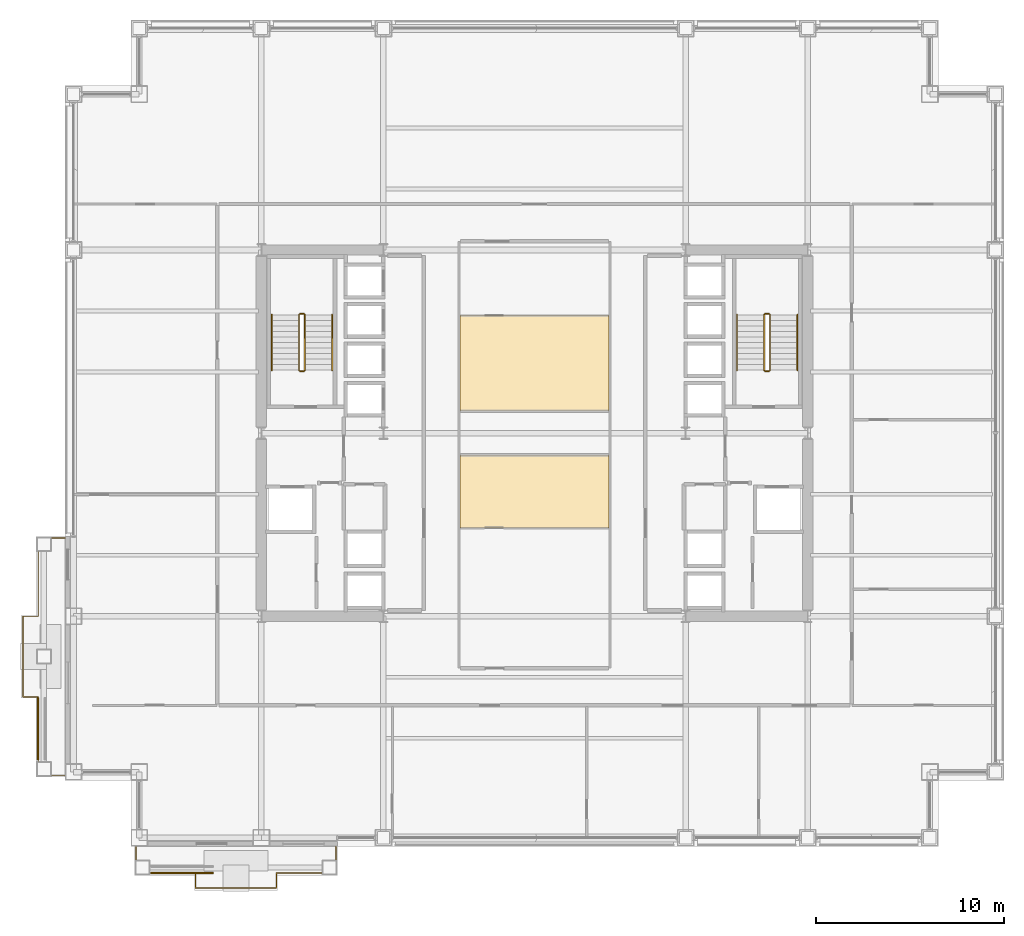
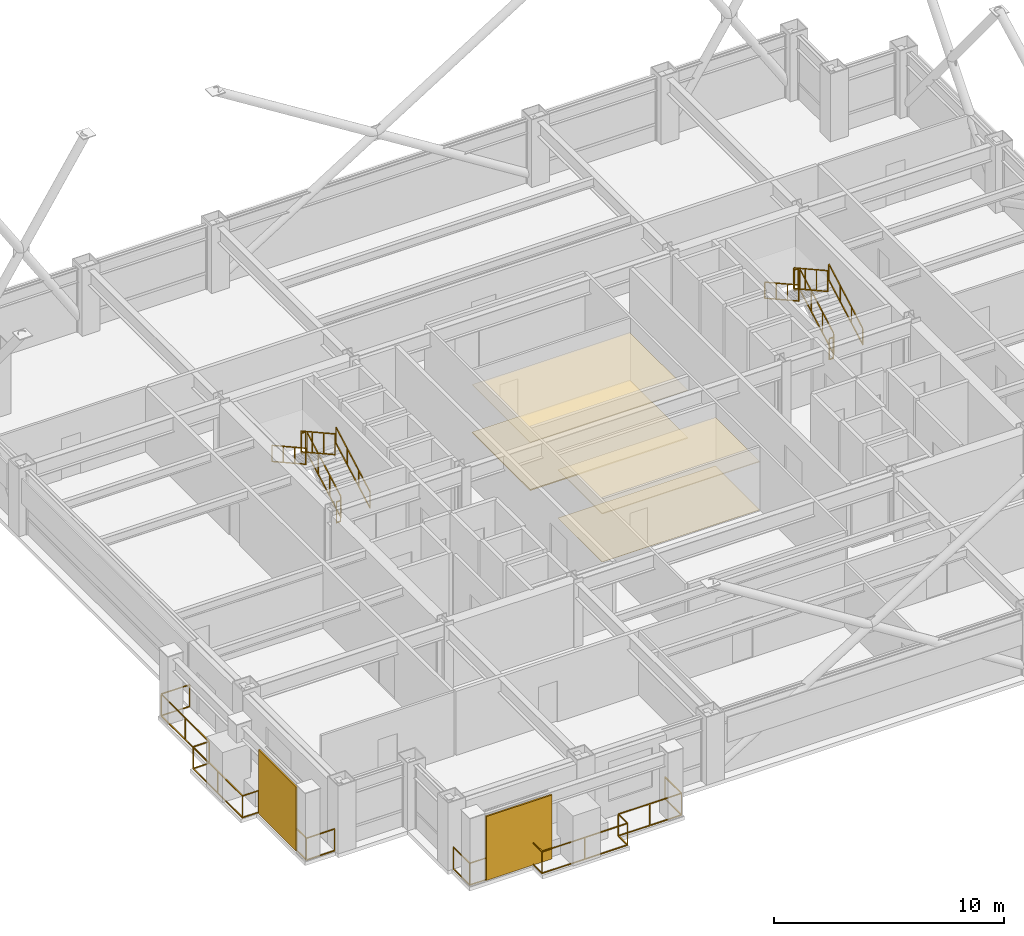
# One storey, part 29 of 30: 14 railings, 4 coverings, 2 shading devices.
"""IFC4 building model written with IfcOpenShell, lengths in metres."""

from ifc_helpers import new_model, si_unit, direction, frame, origin, origin_2d, place, context, subcontext, project, spatial, polyline, rectangle, outline, extrude, material, layer, layer_set, type_object, element, save


model = new_model("IFC4")

# Units and contexts
model_context = context("Model", 3, precision=1e-05, world=origin(), true_north=direction((0.0, 1.0)))
body_context = subcontext(model_context, "Body", "Model", "MODEL_VIEW")
ifc_project = project(units=[si_unit("LENGTHUNIT", "METRE"), si_unit("AREAUNIT", "SQUARE_METRE"), si_unit("VOLUMEUNIT", "CUBIC_METRE"), si_unit("PLANEANGLEUNIT", "RADIAN"), si_unit("MASSUNIT", "GRAM", prefix="KILO")], contexts=[model_context])

# Site, building, storey
site_placement = place(None, origin())
site = spatial("IfcSite", under=ifc_project, at=site_placement, CompositionType="ELEMENT")
building_placement = place(site_placement, origin())
building = spatial("IfcBuilding", under=site, at=building_placement, Name="Brelmoor Portico Tower", CompositionType="ELEMENT")
storey_placement = place(building_placement, frame((0.0, 0.0, 56.39990234375)))
storey = spatial("IfcBuildingStorey", under=building, at=storey_placement, Name="L14", CompositionType="ELEMENT", Elevation=56.39990234375)

# Coverings
ifc_material_1 = material(Name="Powder-Coated Aluminium Acoustic Baffle Ceiling", Category="aluminium")
ifc_layer_1 = layer(ifc_material_1, 0.044921875)
ifc_layer_set_1 = layer_set([ifc_layer_1], Name="Powder-Coated Aluminium Acoustic Baffle Ceiling")
covering_type_1 = type_object("IfcCoveringType", Name="CV-CEIL-BAFFLE-45", PredefinedType="CEILING", material=ifc_layer_set_1)
covering_1_placement = place(storey_placement, frame((0.0, 0.0, 2.550048828125)))
element("IfcCovering", 1, at=covering_1_placement, inside=storey, type_object=covering_type_1, Name="L14 Acoustic Suspended Ceiling 02", PredefinedType="CEILING", context=body_context, shape_type="SweptSolid", body=[
    extrude(outline(polyline([(-3.9599609375, -5.06005859375), (-3.9599609375, -1.199951171875), (3.9599609375, -1.199951171875), (3.9599609375, -5.06005859375), (-3.9599609375, -5.06005859375)])), origin(), (0.0, 0.0, 1.0), 0.045166015625),
])
ifc_material_2 = material(Name="Micro-Perforated Aluminium Clip-In Ceiling", Category="aluminium")
ifc_layer_2 = layer(ifc_material_2, 0.031982421875)
ifc_layer_set_2 = layer_set([ifc_layer_2], Name="Micro-Perforated Aluminium Clip-In Ceiling")
covering_type_2 = type_object("IfcCoveringType", Name="CV-CEIL-METAL-32", PredefinedType="CEILING", material=ifc_layer_set_2)
covering_2_placement = place(storey_placement, frame((0.0, 0.0, 2.550048828125)))
element("IfcCovering", 2, at=covering_2_placement, inside=storey, type_object=covering_type_2, Name="L14 Acoustic Suspended Ceiling 01", PredefinedType="CEILING", context=body_context, shape_type="SweptSolid", body=[
    extrude(outline(polyline([(-3.9599609375, 1.199951171875), (-3.9599609375, 6.260009765625), (3.9599609375, 6.260009765625), (3.9599609375, 1.199951171875), (-3.9599609375, 1.199951171875)])), origin(), (0.0, 0.0, 1.0), 0.031982421875),
])
ifc_material_3 = material(Name="Calcium-Sulphate Raised Access Floor Panel", Category="steel")
ifc_layer_3 = layer(ifc_material_3, 0.06005859375)
ifc_layer_set_3 = layer_set([ifc_layer_3], Name="Calcium-Sulphate Raised Access Floor Panel")
covering_type_3 = type_object("IfcCoveringType", Name="CV-FLR-ACCESS-60", PredefinedType="FLOORING", material=ifc_layer_set_3)
covering_3_placement = place(storey_placement, origin())
element("IfcCovering", 3, at=covering_3_placement, inside=storey, type_object=covering_type_3, Name="L14 Architectural Floor Finish 01", PredefinedType="FLOORING", context=body_context, shape_type="SweptSolid", body=[
    extrude(outline(polyline([(-3.9599609375, 1.199951171875), (-3.9599609375, 6.260009765625), (3.9599609375, 6.260009765625), (3.9599609375, 1.199951171875), (-3.9599609375, 1.199951171875)])), origin(), (0.0, 0.0, 1.0), 0.06005859375),
])
ifc_material_4 = material(Name="Solution-Dyed Nylon Acoustic Carpet Tile", Category="textile")
ifc_layer_4 = layer(ifc_material_4, 0.013916015625)
ifc_layer_set_4 = layer_set([ifc_layer_4], Name="Solution-Dyed Nylon Acoustic Carpet Tile")
covering_type_4 = type_object("IfcCoveringType", Name="CV-FLR-CARPET-14", PredefinedType="FLOORING", material=ifc_layer_set_4)
covering_4_placement = place(storey_placement, origin())
element("IfcCovering", 4, at=covering_4_placement, inside=storey, type_object=covering_type_4, Name="L14 Architectural Floor Finish 02", PredefinedType="FLOORING", context=body_context, shape_type="SweptSolid", body=[
    extrude(outline(polyline([(-3.9599609375, -5.06005859375), (-3.9599609375, -1.199951171875), (3.9599609375, -1.199951171875), (3.9599609375, -5.06005859375), (-3.9599609375, -5.06005859375)])), origin(), (0.0, 0.0, 1.0), 0.01416015625),
])

# Railings
ifc_material_5 = material(Name="Perforated Pale Champagne Aluminium Fretwork Guard", Category="aluminium")
railing_type_1 = type_object("IfcRailingType", Name="RL-BALUSTRADE-1200", PredefinedType="BALUSTRADE", material=ifc_material_5)
railing_1_placement = place(storey_placement, frame((-21.219970703125, -22.0, 0.0)))
element("IfcRailing", 5, at=railing_1_placement, inside=storey, type_object=railing_type_1, Name="L14 Tree Balcony Fretwork Balustrade S", PredefinedType="BALUSTRADE", context=body_context, shape_type="SweptSolid", body=[
    extrude(rectangle(XDim=0.048095703125, YDim=0.048095703125, at=origin_2d()), frame((0.0, 0.0, 1.17578125), z_axis=(0.0, -1.0, 0.0), x_axis=(1.0, 0.0, 0.0)), (0.0, 0.0, 1.0), 1.429931640625),
    extrude(rectangle(XDim=0.048095703125, YDim=0.048095703125, at=origin_2d()), frame((0.0, 0.0, 0.02392578125), z_axis=(0.0, -1.0, 0.0), x_axis=(1.0, 0.0, 0.0)), (0.0, 0.0, 1.0), 1.429931640625),
    extrude(rectangle(XDim=0.048095703125, YDim=0.048095703125, at=origin_2d()), frame((0.0, -1.429931640625, 1.17578125), z_axis=(1.0, 0.0, 0.0), x_axis=(0.0, 1.0, 0.0)), (0.0, 0.0, 1.0), 3.169921875),
    extrude(rectangle(XDim=0.048095703125, YDim=0.048095703125, at=origin_2d()), frame((0.0, -1.429931640625, 0.02392578125), z_axis=(1.0, 0.0, 0.0), x_axis=(0.0, 1.0, 0.0)), (0.0, 0.0, 1.0), 3.169921875),
    extrude(rectangle(XDim=0.048095703125, YDim=0.048095703125, at=origin_2d()), frame((3.169921875, -1.429931640625, 1.17578125), z_axis=(0.0, -1.0, 0.0), x_axis=(1.0, 0.0, 0.0)), (0.0, 0.0, 1.0), 0.800048828125),
    extrude(rectangle(XDim=0.048095703125, YDim=0.048095703125, at=origin_2d()), frame((3.169921875, -1.429931640625, 0.02392578125), z_axis=(0.0, -1.0, 0.0), x_axis=(1.0, 0.0, 0.0)), (0.0, 0.0, 1.0), 0.800048828125),
    extrude(rectangle(XDim=0.048095703125, YDim=0.048095703125, at=origin_2d()), frame((3.169921875, -2.22998046875, 1.17578125), z_axis=(1.0, 0.0, 0.0), x_axis=(0.0, 1.0, 0.0)), (0.0, 0.0, 1.0), 4.300048828125),
    extrude(rectangle(XDim=0.048095703125, YDim=0.048095703125, at=origin_2d()), frame((3.169921875, -2.22998046875, 0.02392578125), z_axis=(1.0, 0.0, 0.0), x_axis=(0.0, 1.0, 0.0)), (0.0, 0.0, 1.0), 4.300048828125),
    extrude(rectangle(XDim=0.048095703125, YDim=0.048095703125, at=origin_2d()), frame((7.469970703125, -2.22998046875, 1.17578125), z_axis=(0.0, 1.0, 0.0), x_axis=(-1.0, 0.0, 0.0)), (0.0, 0.0, 1.0), 0.800048828125),
    extrude(rectangle(XDim=0.048095703125, YDim=0.048095703125, at=origin_2d()), frame((7.469970703125, -2.22998046875, 0.02392578125), z_axis=(0.0, 1.0, 0.0), x_axis=(-1.0, 0.0, 0.0)), (0.0, 0.0, 1.0), 0.800048828125),
    extrude(rectangle(XDim=0.048095703125, YDim=0.048095703125, at=origin_2d()), frame((7.469970703125, -1.429931640625, 1.17578125), z_axis=(1.0, 0.0, 0.0), x_axis=(0.0, 1.0, 0.0)), (0.0, 0.0, 1.0), 3.169921875),
    extrude(rectangle(XDim=0.048095703125, YDim=0.048095703125, at=origin_2d()), frame((7.469970703125, -1.429931640625, 0.02392578125), z_axis=(1.0, 0.0, 0.0), x_axis=(0.0, 1.0, 0.0)), (0.0, 0.0, 1.0), 3.169921875),
    extrude(rectangle(XDim=0.048095703125, YDim=0.048095703125, at=origin_2d()), frame((10.639892578125, -1.429931640625, 1.17578125), z_axis=(0.0, 1.0, 0.0), x_axis=(-1.0, 0.0, 0.0)), (0.0, 0.0, 1.0), 1.429931640625),
    extrude(rectangle(XDim=0.048095703125, YDim=0.048095703125, at=origin_2d()), frame((10.639892578125, -1.429931640625, 0.02392578125), z_axis=(0.0, 1.0, 0.0), x_axis=(-1.0, 0.0, 0.0)), (0.0, 0.0, 1.0), 1.429931640625),
    extrude(rectangle(XDim=0.0419921875, YDim=0.0419921875, at=origin_2d()), origin(), (0.0, 0.0, 1.0), 1.15185546875),
    extrude(rectangle(XDim=0.0419921875, YDim=0.0419921875, at=origin_2d()), frame((0.0, -1.429931640625, 0.0)), (0.0, 0.0, 1.0), 1.15185546875),
    extrude(rectangle(XDim=0.0419921875, YDim=0.0419921875, at=origin_2d()), frame((1.5849609375, -1.429931640625, 0.0)), (0.0, 0.0, 1.0), 1.15185546875),
    extrude(rectangle(XDim=0.0419921875, YDim=0.0419921875, at=origin_2d()), frame((3.169921875, -1.429931640625, 0.0)), (0.0, 0.0, 1.0), 1.15185546875),
    extrude(rectangle(XDim=0.0419921875, YDim=0.0419921875, at=origin_2d()), frame((3.169921875, -2.22998046875, 0.0)), (0.0, 0.0, 1.0), 1.15185546875),
    extrude(rectangle(XDim=0.0419921875, YDim=0.0419921875, at=origin_2d()), frame((5.31982421875, -2.22998046875, 0.0)), (0.0, 0.0, 1.0), 1.15185546875),
    extrude(rectangle(XDim=0.0419921875, YDim=0.0419921875, at=origin_2d()), frame((7.469970703125, -2.22998046875, 0.0)), (0.0, 0.0, 1.0), 1.15185546875),
    extrude(rectangle(XDim=0.0419921875, YDim=0.0419921875, at=origin_2d()), frame((7.469970703125, -1.429931640625, 0.0)), (0.0, 0.0, 1.0), 1.15185546875),
    extrude(rectangle(XDim=0.0419921875, YDim=0.0419921875, at=origin_2d()), frame((9.054931640625, -1.429931640625, 0.0)), (0.0, 0.0, 1.0), 1.15185546875),
    extrude(rectangle(XDim=0.0419921875, YDim=0.0419921875, at=origin_2d()), frame((10.639892578125, -1.429931640625, 0.0)), (0.0, 0.0, 1.0), 1.15185546875),
    extrude(rectangle(XDim=0.0419921875, YDim=0.0419921875, at=origin_2d()), frame((10.639892578125, 0.0, 0.0)), (0.0, 0.0, 1.0), 1.15185546875),
])
railing_2_placement = place(storey_placement, frame((-25.0, -18.219970703125, 0.0)))
element("IfcRailing", 6, at=railing_2_placement, inside=storey, type_object=railing_type_1, Name="L14 Tree Balcony Fretwork Balustrade W", PredefinedType="BALUSTRADE", context=body_context, shape_type="SweptSolid", body=[
    extrude(rectangle(XDim=0.048095703125, YDim=0.048095703125, at=origin_2d()), frame((0.0, 0.0, 1.17578125), z_axis=(-1.0, 0.0, 0.0), x_axis=(0.0, -1.0, 0.0)), (0.0, 0.0, 1.0), 1.429931640625),
    extrude(rectangle(XDim=0.048095703125, YDim=0.048095703125, at=origin_2d()), frame((0.0, 0.0, 0.02392578125), z_axis=(-1.0, 0.0, 0.0), x_axis=(0.0, -1.0, 0.0)), (0.0, 0.0, 1.0), 1.429931640625),
    extrude(rectangle(XDim=0.048095703125, YDim=0.048095703125, at=origin_2d()), frame((-1.429931640625, 0.0, 1.17578125), z_axis=(0.0, 1.0, 0.0), x_axis=(-1.0, 0.0, 0.0)), (0.0, 0.0, 1.0), 4.169921875),
    extrude(rectangle(XDim=0.048095703125, YDim=0.048095703125, at=origin_2d()), frame((-1.429931640625, 0.0, 0.02392578125), z_axis=(0.0, 1.0, 0.0), x_axis=(-1.0, 0.0, 0.0)), (0.0, 0.0, 1.0), 4.169921875),
    extrude(rectangle(XDim=0.048095703125, YDim=0.048095703125, at=origin_2d()), frame((-1.429931640625, 4.169921875, 1.17578125), z_axis=(-1.0, 0.0, 0.0), x_axis=(0.0, -1.0, 0.0)), (0.0, 0.0, 1.0), 0.800048828125),
    extrude(rectangle(XDim=0.048095703125, YDim=0.048095703125, at=origin_2d()), frame((-1.429931640625, 4.169921875, 0.02392578125), z_axis=(-1.0, 0.0, 0.0), x_axis=(0.0, -1.0, 0.0)), (0.0, 0.0, 1.0), 0.800048828125),
    extrude(rectangle(XDim=0.048095703125, YDim=0.048095703125, at=origin_2d()), frame((-2.22998046875, 4.169921875, 1.17578125), z_axis=(0.0, 1.0, 0.0), x_axis=(-1.0, 0.0, 0.0)), (0.0, 0.0, 1.0), 4.300048828125),
    extrude(rectangle(XDim=0.048095703125, YDim=0.048095703125, at=origin_2d()), frame((-2.22998046875, 4.169921875, 0.02392578125), z_axis=(0.0, 1.0, 0.0), x_axis=(-1.0, 0.0, 0.0)), (0.0, 0.0, 1.0), 4.300048828125),
    extrude(rectangle(XDim=0.048095703125, YDim=0.048095703125, at=origin_2d()), frame((-2.22998046875, 8.469970703125, 1.17578125), z_axis=(1.0, 0.0, 0.0), x_axis=(0.0, 1.0, 0.0)), (0.0, 0.0, 1.0), 0.800048828125),
    extrude(rectangle(XDim=0.048095703125, YDim=0.048095703125, at=origin_2d()), frame((-2.22998046875, 8.469970703125, 0.02392578125), z_axis=(1.0, 0.0, 0.0), x_axis=(0.0, 1.0, 0.0)), (0.0, 0.0, 1.0), 0.800048828125),
    extrude(rectangle(XDim=0.048095703125, YDim=0.048095703125, at=origin_2d()), frame((-1.429931640625, 8.469970703125, 1.17578125), z_axis=(0.0, 1.0, 0.0), x_axis=(-1.0, 0.0, 0.0)), (0.0, 0.0, 1.0), 4.169921875),
    extrude(rectangle(XDim=0.048095703125, YDim=0.048095703125, at=origin_2d()), frame((-1.429931640625, 8.469970703125, 0.02392578125), z_axis=(0.0, 1.0, 0.0), x_axis=(-1.0, 0.0, 0.0)), (0.0, 0.0, 1.0), 4.169921875),
    extrude(rectangle(XDim=0.048095703125, YDim=0.048095703125, at=origin_2d()), frame((-1.429931640625, 12.639892578125, 1.17578125), z_axis=(1.0, 0.0, 0.0), x_axis=(0.0, 1.0, 0.0)), (0.0, 0.0, 1.0), 1.429931640625),
    extrude(rectangle(XDim=0.048095703125, YDim=0.048095703125, at=origin_2d()), frame((-1.429931640625, 12.639892578125, 0.02392578125), z_axis=(1.0, 0.0, 0.0), x_axis=(0.0, 1.0, 0.0)), (0.0, 0.0, 1.0), 1.429931640625),
    extrude(rectangle(XDim=0.0419921875, YDim=0.0419921875, at=origin_2d()), origin(), (0.0, 0.0, 1.0), 1.15185546875),
    extrude(rectangle(XDim=0.0419921875, YDim=0.0419921875, at=origin_2d()), frame((-1.429931640625, 0.0, 0.0)), (0.0, 0.0, 1.0), 1.15185546875),
    extrude(rectangle(XDim=0.0419921875, YDim=0.0419921875, at=origin_2d()), frame((-1.429931640625, 2.0849609375, 0.0)), (0.0, 0.0, 1.0), 1.15185546875),
    extrude(rectangle(XDim=0.0419921875, YDim=0.0419921875, at=origin_2d()), frame((-1.429931640625, 4.169921875, 0.0)), (0.0, 0.0, 1.0), 1.15185546875),
    extrude(rectangle(XDim=0.0419921875, YDim=0.0419921875, at=origin_2d()), frame((-2.22998046875, 4.169921875, 0.0)), (0.0, 0.0, 1.0), 1.15185546875),
    extrude(rectangle(XDim=0.0419921875, YDim=0.0419921875, at=origin_2d()), frame((-2.22998046875, 6.31982421875, 0.0)), (0.0, 0.0, 1.0), 1.15185546875),
    extrude(rectangle(XDim=0.0419921875, YDim=0.0419921875, at=origin_2d()), frame((-2.22998046875, 8.469970703125, 0.0)), (0.0, 0.0, 1.0), 1.15185546875),
    extrude(rectangle(XDim=0.0419921875, YDim=0.0419921875, at=origin_2d()), frame((-1.429931640625, 8.469970703125, 0.0)), (0.0, 0.0, 1.0), 1.15185546875),
    extrude(rectangle(XDim=0.0419921875, YDim=0.0419921875, at=origin_2d()), frame((-1.429931640625, 10.554931640625, 0.0)), (0.0, 0.0, 1.0), 1.15185546875),
    extrude(rectangle(XDim=0.0419921875, YDim=0.0419921875, at=origin_2d()), frame((-1.429931640625, 12.639892578125, 0.0)), (0.0, 0.0, 1.0), 1.15185546875),
    extrude(rectangle(XDim=0.0419921875, YDim=0.0419921875, at=origin_2d()), frame((0.0, 12.639892578125, 0.0)), (0.0, 0.0, 1.0), 1.15185546875),
])
ifc_material_6 = material(Name="Painted Tubular Steel Q235B", Category="steel")
railing_type_2 = type_object("IfcRailingType", Name="RL-STAIR-GUARD", PredefinedType="GUARDRAIL", material=ifc_material_6)
railing_3_placement = place(storey_placement, frame((-12.239990234375, 3.35009765625, 0.163818359375)))
element("IfcRailing", 7, at=railing_3_placement, inside=storey, type_object=railing_type_2, Name="L14 ST-W stair guard 1", PredefinedType="GUARDRAIL", context=body_context, shape_type="SweptSolid", body=[
    extrude(rectangle(XDim=0.048095703125, YDim=0.048095703125, at=origin_2d()), frame((0.0, 0.0, 1.1259765625), z_axis=(0.0, 0.87448821551, 0.485046761595), x_axis=(-1.0, 0.0, 0.0)), (0.0, 0.0, 1.0), 3.373291015625),
    extrude(rectangle(XDim=0.048095703125, YDim=0.048095703125, at=origin_2d()), frame((0.0, 0.0, 0.02392578125), z_axis=(0.0, 0.87448821551, 0.485046761595), x_axis=(-1.0, 0.0, 0.0)), (0.0, 0.0, 1.0), 3.373291015625),
    extrude(rectangle(XDim=0.0419921875, YDim=0.0419921875, at=origin_2d()), origin(), (0.0, 0.0, 1.0), 1.101806640625),
    extrude(rectangle(XDim=0.0419921875, YDim=0.0419921875, at=origin_2d()), frame((0.0, 0.9833984375, 0.54541015625)), (0.0, 0.0, 1.0), 1.101806640625),
    extrude(rectangle(XDim=0.0419921875, YDim=0.0419921875, at=origin_2d()), frame((0.0, 1.966552734375, 1.0908203125)), (0.0, 0.0, 1.0), 1.101806640625),
    extrude(rectangle(XDim=0.0419921875, YDim=0.0419921875, at=origin_2d()), frame((0.0, 2.949951171875, 1.63623046875)), (0.0, 0.0, 1.0), 1.101806640625),
])
railing_4_placement = place(storey_placement, frame((-12.2900390625, 6.35009765625, 1.800048828125)))
element("IfcRailing", 8, at=railing_4_placement, inside=storey, type_object=railing_type_2, Name="L14 ST-W stair guard 2", PredefinedType="GUARDRAIL", context=body_context, shape_type="SweptSolid", body=[
    extrude(rectangle(XDim=0.048095703125, YDim=0.048095703125, at=origin_2d()), frame((0.0, 0.0, 1.1259765625), z_axis=(-1.0, 0.0, 0.0), x_axis=(0.0, -1.0, 0.0)), (0.0, 0.0, 1.0), 0.199951171875),
    extrude(rectangle(XDim=0.048095703125, YDim=0.048095703125, at=origin_2d()), frame((0.0, 0.0, 0.02392578125), z_axis=(-1.0, 0.0, 0.0), x_axis=(0.0, -1.0, 0.0)), (0.0, 0.0, 1.0), 0.199951171875),
    extrude(rectangle(XDim=0.0419921875, YDim=0.0419921875, at=origin_2d()), origin(), (0.0, 0.0, 1.0), 1.101806640625),
    extrude(rectangle(XDim=0.0419921875, YDim=0.0419921875, at=origin_2d()), frame((-0.199951171875, 0.0, 0.0)), (0.0, 0.0, 1.0), 1.101806640625),
])
railing_5_placement = place(storey_placement, frame((-12.5400390625, 6.300048828125, 1.963623046875)))
element("IfcRailing", 9, at=railing_5_placement, inside=storey, type_object=railing_type_2, Name="L14 ST-W stair guard 3", PredefinedType="GUARDRAIL", context=body_context, shape_type="SweptSolid", body=[
    extrude(rectangle(XDim=0.048095703125, YDim=0.048095703125, at=origin_2d()), frame((0.0, 0.0, 1.1259765625), z_axis=(0.0, -0.874457516365, 0.485102104791), x_axis=(1.0, 0.0, 0.0)), (0.0, 0.0, 1.0), 3.37353515625),
    extrude(rectangle(XDim=0.048095703125, YDim=0.048095703125, at=origin_2d()), frame((0.0, 0.0, 0.02392578125), z_axis=(0.0, -0.874457516365, 0.485102104791), x_axis=(1.0, 0.0, 0.0)), (0.0, 0.0, 1.0), 3.37353515625),
    extrude(rectangle(XDim=0.0419921875, YDim=0.0419921875, at=origin_2d()), origin(), (0.0, 0.0, 1.0), 1.101806640625),
    extrude(rectangle(XDim=0.0419921875, YDim=0.0419921875, at=origin_2d()), frame((0.0, -0.9833984375, 0.54541015625)), (0.0, 0.0, 1.0), 1.101806640625),
    extrude(rectangle(XDim=0.0419921875, YDim=0.0419921875, at=origin_2d()), frame((0.0, -1.966552734375, 1.091064453125)), (0.0, 0.0, 1.0), 1.101806640625),
    extrude(rectangle(XDim=0.0419921875, YDim=0.0419921875, at=origin_2d()), frame((0.0, -2.949951171875, 1.636474609375)), (0.0, 0.0, 1.0), 1.101806640625),
])
railing_6_placement = place(storey_placement, frame((-12.2900390625, 3.300048828125, 0.0)))
element("IfcRailing", 10, at=railing_6_placement, inside=storey, type_object=railing_type_2, Name="L14 ST-W stair guard 4", PredefinedType="GUARDRAIL", context=body_context, shape_type="SweptSolid", body=[
    extrude(rectangle(XDim=0.048095703125, YDim=0.048095703125, at=origin_2d()), frame((0.0, 0.0, 1.1259765625), z_axis=(-1.0, 0.0, 0.0), x_axis=(0.0, -1.0, 0.0)), (0.0, 0.0, 1.0), 0.199951171875),
    extrude(rectangle(XDim=0.048095703125, YDim=0.048095703125, at=origin_2d()), frame((0.0, 0.0, 0.02392578125), z_axis=(-1.0, 0.0, 0.0), x_axis=(0.0, -1.0, 0.0)), (0.0, 0.0, 1.0), 0.199951171875),
    extrude(rectangle(XDim=0.0419921875, YDim=0.0419921875, at=origin_2d()), origin(), (0.0, 0.0, 1.0), 1.101806640625),
    extrude(rectangle(XDim=0.0419921875, YDim=0.0419921875, at=origin_2d()), frame((-0.199951171875, 0.0, 0.0)), (0.0, 0.0, 1.0), 1.101806640625),
])
railing_7_placement = place(storey_placement, frame((12.5400390625, 3.35009765625, 0.163818359375)))
element("IfcRailing", 11, at=railing_7_placement, inside=storey, type_object=railing_type_2, Name="L14 ST-E stair guard 1", PredefinedType="GUARDRAIL", context=body_context, shape_type="SweptSolid", body=[
    extrude(rectangle(XDim=0.048095703125, YDim=0.048095703125, at=origin_2d()), frame((0.0, 0.0, 1.1259765625), z_axis=(0.0, 0.87448821551, 0.485046761595), x_axis=(-1.0, 0.0, 0.0)), (0.0, 0.0, 1.0), 3.373291015625),
    extrude(rectangle(XDim=0.048095703125, YDim=0.048095703125, at=origin_2d()), frame((0.0, 0.0, 0.02392578125), z_axis=(0.0, 0.87448821551, 0.485046761595), x_axis=(-1.0, 0.0, 0.0)), (0.0, 0.0, 1.0), 3.373291015625),
    extrude(rectangle(XDim=0.0419921875, YDim=0.0419921875, at=origin_2d()), origin(), (0.0, 0.0, 1.0), 1.101806640625),
    extrude(rectangle(XDim=0.0419921875, YDim=0.0419921875, at=origin_2d()), frame((0.0, 0.9833984375, 0.54541015625)), (0.0, 0.0, 1.0), 1.101806640625),
    extrude(rectangle(XDim=0.0419921875, YDim=0.0419921875, at=origin_2d()), frame((0.0, 1.966552734375, 1.0908203125)), (0.0, 0.0, 1.0), 1.101806640625),
    extrude(rectangle(XDim=0.0419921875, YDim=0.0419921875, at=origin_2d()), frame((0.0, 2.949951171875, 1.63623046875)), (0.0, 0.0, 1.0), 1.101806640625),
])
railing_8_placement = place(storey_placement, frame((12.489990234375, 6.35009765625, 1.800048828125)))
element("IfcRailing", 12, at=railing_8_placement, inside=storey, type_object=railing_type_2, Name="L14 ST-E stair guard 2", PredefinedType="GUARDRAIL", context=body_context, shape_type="SweptSolid", body=[
    extrude(rectangle(XDim=0.048095703125, YDim=0.048095703125, at=origin_2d()), frame((0.0, 0.0, 1.1259765625), z_axis=(-1.0, 0.0, 0.0), x_axis=(0.0, -1.0, 0.0)), (0.0, 0.0, 1.0), 0.199951171875),
    extrude(rectangle(XDim=0.048095703125, YDim=0.048095703125, at=origin_2d()), frame((0.0, 0.0, 0.02392578125), z_axis=(-1.0, 0.0, 0.0), x_axis=(0.0, -1.0, 0.0)), (0.0, 0.0, 1.0), 0.199951171875),
    extrude(rectangle(XDim=0.0419921875, YDim=0.0419921875, at=origin_2d()), origin(), (0.0, 0.0, 1.0), 1.101806640625),
    extrude(rectangle(XDim=0.0419921875, YDim=0.0419921875, at=origin_2d()), frame((-0.199951171875, 0.0, 0.0)), (0.0, 0.0, 1.0), 1.101806640625),
])
railing_9_placement = place(storey_placement, frame((12.239990234375, 6.300048828125, 1.963623046875)))
element("IfcRailing", 13, at=railing_9_placement, inside=storey, type_object=railing_type_2, Name="L14 ST-E stair guard 3", PredefinedType="GUARDRAIL", context=body_context, shape_type="SweptSolid", body=[
    extrude(rectangle(XDim=0.048095703125, YDim=0.048095703125, at=origin_2d()), frame((0.0, 0.0, 1.1259765625), z_axis=(0.0, -0.874457516365, 0.485102104791), x_axis=(1.0, 0.0, 0.0)), (0.0, 0.0, 1.0), 3.37353515625),
    extrude(rectangle(XDim=0.048095703125, YDim=0.048095703125, at=origin_2d()), frame((0.0, 0.0, 0.02392578125), z_axis=(0.0, -0.874457516365, 0.485102104791), x_axis=(1.0, 0.0, 0.0)), (0.0, 0.0, 1.0), 3.37353515625),
    extrude(rectangle(XDim=0.0419921875, YDim=0.0419921875, at=origin_2d()), origin(), (0.0, 0.0, 1.0), 1.101806640625),
    extrude(rectangle(XDim=0.0419921875, YDim=0.0419921875, at=origin_2d()), frame((0.0, -0.9833984375, 0.54541015625)), (0.0, 0.0, 1.0), 1.101806640625),
    extrude(rectangle(XDim=0.0419921875, YDim=0.0419921875, at=origin_2d()), frame((0.0, -1.966552734375, 1.091064453125)), (0.0, 0.0, 1.0), 1.101806640625),
    extrude(rectangle(XDim=0.0419921875, YDim=0.0419921875, at=origin_2d()), frame((0.0, -2.949951171875, 1.636474609375)), (0.0, 0.0, 1.0), 1.101806640625),
])
railing_10_placement = place(storey_placement, frame((12.489990234375, 3.300048828125, 0.0)))
element("IfcRailing", 14, at=railing_10_placement, inside=storey, type_object=railing_type_2, Name="L14 ST-E stair guard 4", PredefinedType="GUARDRAIL", context=body_context, shape_type="SweptSolid", body=[
    extrude(rectangle(XDim=0.048095703125, YDim=0.048095703125, at=origin_2d()), frame((0.0, 0.0, 1.1259765625), z_axis=(-1.0, 0.0, 0.0), x_axis=(0.0, -1.0, 0.0)), (0.0, 0.0, 1.0), 0.199951171875),
    extrude(rectangle(XDim=0.048095703125, YDim=0.048095703125, at=origin_2d()), frame((0.0, 0.0, 0.02392578125), z_axis=(-1.0, 0.0, 0.0), x_axis=(0.0, -1.0, 0.0)), (0.0, 0.0, 1.0), 0.199951171875),
    extrude(rectangle(XDim=0.0419921875, YDim=0.0419921875, at=origin_2d()), origin(), (0.0, 0.0, 1.0), 1.101806640625),
    extrude(rectangle(XDim=0.0419921875, YDim=0.0419921875, at=origin_2d()), frame((-0.199951171875, 0.0, 0.0)), (0.0, 0.0, 1.0), 1.101806640625),
])
ifc_material_7 = material(Name="Brushed Stainless Steel 304", Category="steel")
railing_type_3 = type_object("IfcRailingType", Name="RL-STAIR-HANDRAIL", PredefinedType="HANDRAIL", material=ifc_material_7)
railing_11_placement = place(storey_placement, frame((-10.780029296875, 3.35009765625, 0.163818359375)))
element("IfcRailing", 15, at=railing_11_placement, inside=storey, type_object=railing_type_3, Name="L14 ST-W stair handrail 1", PredefinedType="HANDRAIL", context=body_context, shape_type="SweptSolid", body=[
    extrude(rectangle(XDim=0.048095703125, YDim=0.048095703125, at=origin_2d()), frame((0.0, 0.0, 0.8759765625), z_axis=(0.0, 0.87448821551, 0.485046761595), x_axis=(-1.0, 0.0, 0.0)), (0.0, 0.0, 1.0), 3.373291015625),
    extrude(rectangle(XDim=0.048095703125, YDim=0.048095703125, at=origin_2d()), frame((0.0, 0.0, 0.02392578125), z_axis=(0.0, 0.87448821551, 0.485046761595), x_axis=(-1.0, 0.0, 0.0)), (0.0, 0.0, 1.0), 3.373291015625),
    extrude(rectangle(XDim=0.0419921875, YDim=0.0419921875, at=origin_2d()), origin(), (0.0, 0.0, 1.0), 0.851806640625),
    extrude(rectangle(XDim=0.0419921875, YDim=0.0419921875, at=origin_2d()), frame((0.0, 0.9833984375, 0.54541015625)), (0.0, 0.0, 1.0), 0.851806640625),
    extrude(rectangle(XDim=0.0419921875, YDim=0.0419921875, at=origin_2d()), frame((0.0, 1.966552734375, 1.0908203125)), (0.0, 0.0, 1.0), 0.851806640625),
    extrude(rectangle(XDim=0.0419921875, YDim=0.0419921875, at=origin_2d()), frame((0.0, 2.949951171875, 1.63623046875)), (0.0, 0.0, 1.0), 0.851806640625),
])
railing_12_placement = place(storey_placement, frame((-14.0, 6.300048828125, 1.963623046875)))
element("IfcRailing", 16, at=railing_12_placement, inside=storey, type_object=railing_type_3, Name="L14 ST-W stair handrail 2", PredefinedType="HANDRAIL", context=body_context, shape_type="SweptSolid", body=[
    extrude(rectangle(XDim=0.048095703125, YDim=0.048095703125, at=origin_2d()), frame((0.0, 0.0, 0.8759765625), z_axis=(0.0, -0.874457516365, 0.485102104791), x_axis=(1.0, 0.0, 0.0)), (0.0, 0.0, 1.0), 3.37353515625),
    extrude(rectangle(XDim=0.048095703125, YDim=0.048095703125, at=origin_2d()), frame((0.0, 0.0, 0.02392578125), z_axis=(0.0, -0.874457516365, 0.485102104791), x_axis=(1.0, 0.0, 0.0)), (0.0, 0.0, 1.0), 3.37353515625),
    extrude(rectangle(XDim=0.0419921875, YDim=0.0419921875, at=origin_2d()), origin(), (0.0, 0.0, 1.0), 0.851806640625),
    extrude(rectangle(XDim=0.0419921875, YDim=0.0419921875, at=origin_2d()), frame((0.0, -0.9833984375, 0.54541015625)), (0.0, 0.0, 1.0), 0.851806640625),
    extrude(rectangle(XDim=0.0419921875, YDim=0.0419921875, at=origin_2d()), frame((0.0, -1.966552734375, 1.091064453125)), (0.0, 0.0, 1.0), 0.851806640625),
    extrude(rectangle(XDim=0.0419921875, YDim=0.0419921875, at=origin_2d()), frame((0.0, -2.949951171875, 1.636474609375)), (0.0, 0.0, 1.0), 0.851806640625),
])
railing_13_placement = place(storey_placement, frame((14.0, 3.35009765625, 0.163818359375)))
element("IfcRailing", 17, at=railing_13_placement, inside=storey, type_object=railing_type_3, Name="L14 ST-E stair handrail 1", PredefinedType="HANDRAIL", context=body_context, shape_type="SweptSolid", body=[
    extrude(rectangle(XDim=0.048095703125, YDim=0.048095703125, at=origin_2d()), frame((0.0, 0.0, 0.8759765625), z_axis=(0.0, 0.87448821551, 0.485046761595), x_axis=(-1.0, 0.0, 0.0)), (0.0, 0.0, 1.0), 3.373291015625),
    extrude(rectangle(XDim=0.048095703125, YDim=0.048095703125, at=origin_2d()), frame((0.0, 0.0, 0.02392578125), z_axis=(0.0, 0.87448821551, 0.485046761595), x_axis=(-1.0, 0.0, 0.0)), (0.0, 0.0, 1.0), 3.373291015625),
    extrude(rectangle(XDim=0.0419921875, YDim=0.0419921875, at=origin_2d()), origin(), (0.0, 0.0, 1.0), 0.851806640625),
    extrude(rectangle(XDim=0.0419921875, YDim=0.0419921875, at=origin_2d()), frame((0.0, 0.9833984375, 0.54541015625)), (0.0, 0.0, 1.0), 0.851806640625),
    extrude(rectangle(XDim=0.0419921875, YDim=0.0419921875, at=origin_2d()), frame((0.0, 1.966552734375, 1.0908203125)), (0.0, 0.0, 1.0), 0.851806640625),
    extrude(rectangle(XDim=0.0419921875, YDim=0.0419921875, at=origin_2d()), frame((0.0, 2.949951171875, 1.63623046875)), (0.0, 0.0, 1.0), 0.851806640625),
])
railing_14_placement = place(storey_placement, frame((10.780029296875, 6.300048828125, 1.963623046875)))
element("IfcRailing", 18, at=railing_14_placement, inside=storey, type_object=railing_type_3, Name="L14 ST-E stair handrail 2", PredefinedType="HANDRAIL", context=body_context, shape_type="SweptSolid", body=[
    extrude(rectangle(XDim=0.048095703125, YDim=0.048095703125, at=origin_2d()), frame((0.0, 0.0, 0.8759765625), z_axis=(0.0, -0.874457516365, 0.485102104791), x_axis=(1.0, 0.0, 0.0)), (0.0, 0.0, 1.0), 3.37353515625),
    extrude(rectangle(XDim=0.048095703125, YDim=0.048095703125, at=origin_2d()), frame((0.0, 0.0, 0.02392578125), z_axis=(0.0, -0.874457516365, 0.485102104791), x_axis=(1.0, 0.0, 0.0)), (0.0, 0.0, 1.0), 3.37353515625),
    extrude(rectangle(XDim=0.0419921875, YDim=0.0419921875, at=origin_2d()), origin(), (0.0, 0.0, 1.0), 0.851806640625),
    extrude(rectangle(XDim=0.0419921875, YDim=0.0419921875, at=origin_2d()), frame((0.0, -0.9833984375, 0.54541015625)), (0.0, 0.0, 1.0), 0.851806640625),
    extrude(rectangle(XDim=0.0419921875, YDim=0.0419921875, at=origin_2d()), frame((0.0, -1.966552734375, 1.091064453125)), (0.0, 0.0, 1.0), 0.851806640625),
    extrude(rectangle(XDim=0.0419921875, YDim=0.0419921875, at=origin_2d()), frame((0.0, -2.949951171875, 1.636474609375)), (0.0, 0.0, 1.0), 0.851806640625),
])

# Shading devices
ifc_material_8 = material(Name="Powder-Coated Aluminium Shuttered Jalousie", Category="aluminium")
ifc_layer_5 = layer(ifc_material_8, 0.080078125)
ifc_layer_set_5 = layer_set([ifc_layer_5], Name="Powder-Coated Aluminium Shuttered Jalousie")
shading_device_type = type_object("IfcShadingDeviceType", Name="SD-JALOUSIE-LOGGIA", PredefinedType="JALOUSIE", material=ifc_layer_set_5)
for number, where, z_axis, x_axis, name in (
    (19, (-18.75, -23.429931640625, 0.000244140625), (0.0, 0.0, 1.0), (1.0, 0.0, 0.0), "L14 Loggia Shuttered Jalousie S"),
    (20, (-26.429931640625, -15.75, 0.000244140625), (0.0, 0.0, 1.0), (0.0, 1.0, 0.0), "L14 Loggia Shuttered Jalousie W"),
):
    element("IfcShadingDevice", number, at=place(storey_placement, frame(where, z_axis=z_axis, x_axis=x_axis)), inside=storey, type_object=shading_device_type, Name=name, PredefinedType="JALOUSIE", context=body_context, shape_type="SweptSolid", body=[
        extrude(rectangle(XDim=3.300048828125, YDim=0.080078125, at=origin_2d()), origin(), (0.0, 0.0, 1.0), 3.39990234375),
    ])

save(model, "model.ifc")
